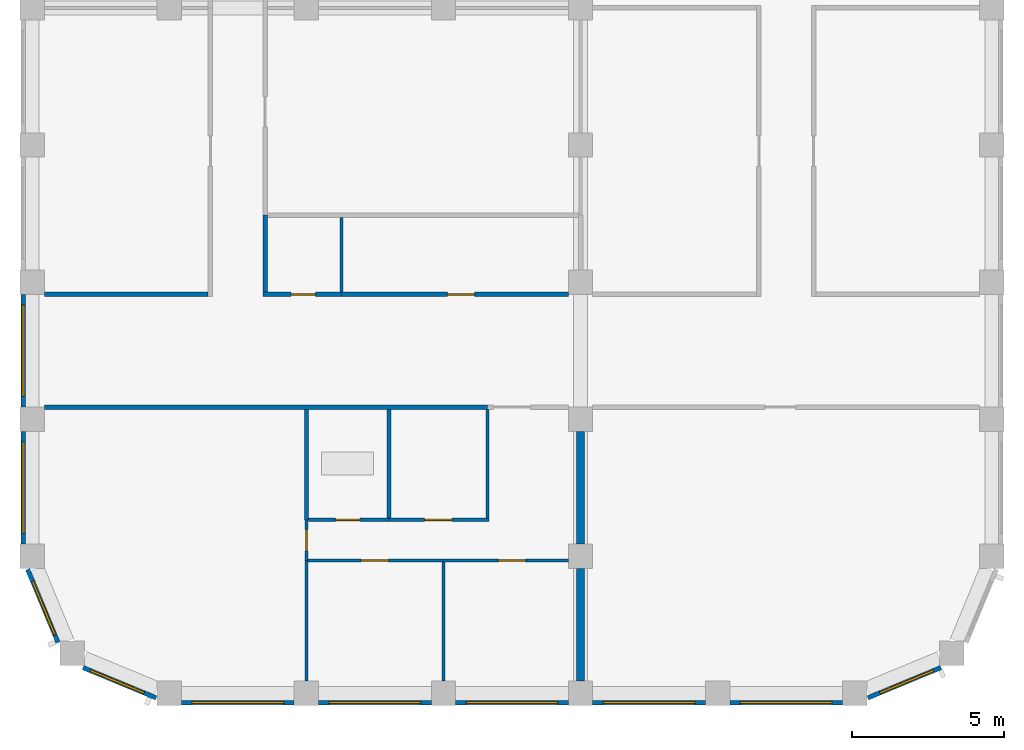
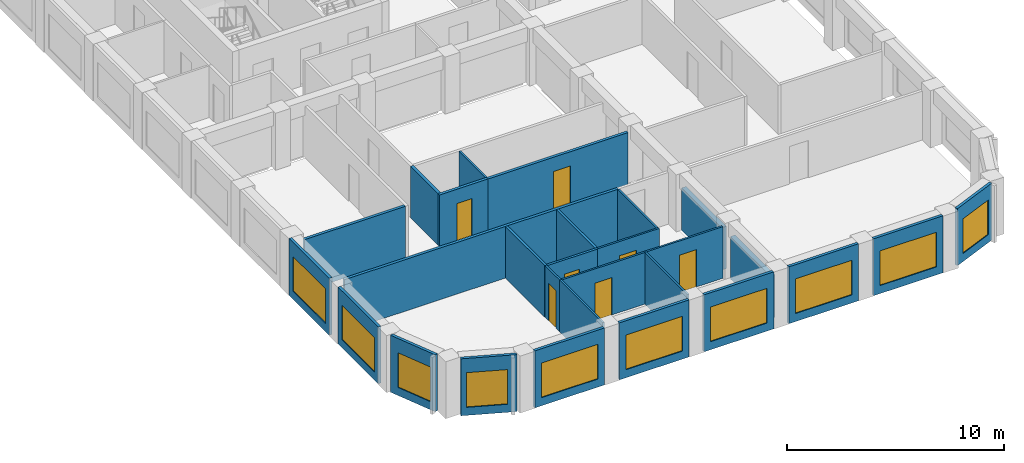
# One storey, part 2 of 9: 28 walls, 10 windows, 7 doors, 17 openings.
"""IFC4 building model written with IfcOpenShell, lengths in metres."""

from ifc_helpers import new_model, si_unit, direction, frame, frame_2d, origin, place, context, subcontext, project, spatial, rectangle, extrude, material, layer, layer_set, type_object, element, fill, save


model = new_model("IFC4")

# Units and contexts
model_context = context("Model", 3, precision=1e-05, world=origin(), true_north=direction((0.0, 1.0)))
body_context = subcontext(model_context, "Body", "Model", "MODEL_VIEW")
ifc_project = project(units=[si_unit("LENGTHUNIT", "METRE"), si_unit("AREAUNIT", "SQUARE_METRE"), si_unit("VOLUMEUNIT", "CUBIC_METRE"), si_unit("PLANEANGLEUNIT", "RADIAN"), si_unit("MASSUNIT", "GRAM", prefix="KILO")], contexts=[model_context])

# Site, building, storey
site_placement = place(None, origin())
site = spatial("IfcSite", under=ifc_project, at=site_placement, CompositionType="ELEMENT")
building_placement = place(site_placement, origin())
building = spatial("IfcBuilding", under=site, at=building_placement, Name="Girih Gate Residences", CompositionType="ELEMENT")
storey_placement = place(building_placement, frame((0.0, 0.0, 219.695068359375)))
storey = spatial("IfcBuildingStorey", under=building, at=storey_placement, Name="L61", CompositionType="ELEMENT", Elevation=219.695068359375)

# Walls
ifc_material_1 = material(Name="Gypsum board on steel studs", Category="steel")
ifc_layer_1 = layer(ifc_material_1, 0.25)
ifc_layer_set_1 = layer_set([ifc_layer_1], Name="Acoustic separating wall 250 mm")
wall_type_1 = type_object("IfcWallType", Name="Acoustic separating wall 250 mm", PredefinedType="PARTITIONING", material=ifc_layer_set_1)
for number, where, z_axis, x_axis, name in (
    (1, (18.0, 0.39990234375, 0.0), (0.0, 0.0, 1.0), (0.0, 1.0, 0.0), "L61 partition"),
    (2, (18.0, 4.89990234375, 0.0), (0.0, 0.0, 1.0), (0.0, 1.0, 0.0), "L61 partition"),
):
    element("IfcWall", number, at=place(storey_placement, frame(where, z_axis=z_axis, x_axis=x_axis)), inside=storey, type_object=wall_type_1, Name=name, PredefinedType="PARTITIONING", context=body_context, shape_type="SweptSolid", body=[
        extrude(rectangle(XDim=3.7001953125, YDim=0.25, at=frame_2d((1.85009765625, 0.0))), origin(), (0.0, 0.0, 1.0), 2.3798828125),
    ])
ifc_layer_2 = layer(ifc_material_1, 0.14990234375)
ifc_layer_set_2 = layer_set([ifc_layer_2], Name="Compartment wall 150 mm")
wall_type_2 = type_object("IfcWallType", Name="Compartment wall 150 mm", PredefinedType="PARTITIONING", material=ifc_layer_set_2)
wall_1_placement = place(storey_placement, frame((0.39990234375, 9.39990234375, 0.0), z_axis=(0.0, 0.0, 1.0), x_axis=(1.0, 0.0, 0.0)))
element("IfcWall", 3, at=wall_1_placement, inside=storey, type_object=wall_type_2, Name="L61 partition", PredefinedType="PARTITIONING", context=body_context, shape_type="SweptSolid", body=[
    extrude(rectangle(XDim=14.550048828125, YDim=0.14990234375, at=frame_2d((7.27490234375, 0.0))), origin(), (0.0, 0.0, 1.0), 2.89990234375),
])

# Wall, opening, door
wall_2_placement = place(storey_placement, frame((10.14990234375, 13.10009765625, 0.0), z_axis=(0.0, 0.0, 1.0), x_axis=(1.0, 0.0, 0.0)))
wall_2 = element("IfcWall", 4, at=wall_2_placement, inside=storey, type_object=wall_type_2, Name="L61 partition", PredefinedType="PARTITIONING", context=body_context, shape_type="SweptSolid", body=[
    extrude(rectangle(XDim=7.4501953125, YDim=0.14990234375, at=frame_2d((3.72509765625, 0.0))), origin(), (0.0, 0.0, 1.0), 2.89990234375),
])
opening_1_placement = place(wall_2_placement, frame((3.47509765625, 0.0, 0.0)))
opening_1 = element("IfcOpeningElement", 5, at=opening_1_placement, cuts=wall_2, Name="Opening A61-023", PredefinedType="OPENING", context=body_context, shape_type="SweptSolid", body=[
    extrude(rectangle(XDim=0.89990234375, YDim=2.10009765625, at=frame_2d((0.449951171875, 1.050048828125))), frame((0.0, 0.0849609375, 0.0), z_axis=(0.0, -1.0, 0.0), x_axis=(1.0, 0.0, 0.0)), (0.0, 0.0, 1.0), 0.169921875),
])
ifc_material_2 = material(Name="Timber", Category="wood")
door_type_1 = type_object("IfcDoorType", Name="Service room door 900x2100", OperationType="NOTDEFINED", PredefinedType="DOOR", material=ifc_material_2)
door_1_placement = place(opening_1_placement, origin())
door_1 = element("IfcDoor", 6, at=door_1_placement, inside=storey, type_object=door_type_1, Name="Door A61-023", OperationType="SINGLE_SWING_RIGHT", OverallHeight=2.10009765625, OverallWidth=0.89990234375, PredefinedType="DOOR", context=body_context, shape_type="SweptSolid", body=[
    extrude(rectangle(XDim=0.89990234375, YDim=2.10009765625, at=frame_2d((0.449951171875, 1.050048828125))), frame((0.0, 0.02490234375, 0.0), z_axis=(0.0, -1.0, 0.0), x_axis=(1.0, 0.0, 0.0)), (0.0, 0.0, 1.0), 0.050048828125),
])
fill(opening_1, door_1)

wall_3_placement = place(storey_placement, frame((7.574951171875, 13.10009765625, 0.0), z_axis=(0.0, 0.0, 1.0), x_axis=(1.0, 0.0, 0.0)))
wall_3 = element("IfcWall", 7, at=wall_3_placement, inside=storey, type_object=wall_type_2, Name="L61 partition", PredefinedType="PARTITIONING", context=body_context, shape_type="SweptSolid", body=[
    extrude(rectangle(XDim=2.574951171875, YDim=0.14990234375, at=frame_2d((1.28759765625, 0.0))), origin(), (0.0, 0.0, 1.0), 2.89990234375),
])
opening_2_placement = place(wall_3_placement, frame((0.925048828125, 0.0, 0.0)))
opening_2 = element("IfcOpeningElement", 8, at=opening_2_placement, cuts=wall_3, Name="Opening A61-024", PredefinedType="OPENING", context=body_context, shape_type="SweptSolid", body=[
    extrude(rectangle(XDim=0.800048828125, YDim=2.10009765625, at=frame_2d((0.39990234375, 1.050048828125))), frame((0.0, 0.0849609375, 0.0), z_axis=(0.0, -1.0, 0.0), x_axis=(1.0, 0.0, 0.0)), (0.0, 0.0, 1.0), 0.169921875),
])
door_type_2 = type_object("IfcDoorType", Name="Bathroom door 800x2100", OperationType="NOTDEFINED", PredefinedType="DOOR", material=ifc_material_2)
door_2_placement = place(opening_2_placement, origin())
door_2 = element("IfcDoor", 9, at=door_2_placement, inside=storey, type_object=door_type_2, Name="Door A61-024", OperationType="SINGLE_SWING_RIGHT", OverallHeight=2.10009765625, OverallWidth=0.800048828125, PredefinedType="DOOR", context=body_context, shape_type="SweptSolid", body=[
    extrude(rectangle(XDim=0.800048828125, YDim=2.10009765625, at=frame_2d((0.39990234375, 1.050048828125))), frame((0.0, 0.02490234375, 0.0), z_axis=(0.0, -1.0, 0.0), x_axis=(1.0, 0.0, 0.0)), (0.0, 0.0, 1.0), 0.050048828125),
])
fill(opening_2, door_2)

# Walls
wall_4_placement = place(storey_placement, frame((0.39990234375, 13.10009765625, 0.0), z_axis=(0.0, 0.0, 1.0), x_axis=(1.0, 0.0, 0.0)))
element("IfcWall", 10, at=wall_4_placement, inside=storey, type_object=wall_type_2, Name="L61 partition", PredefinedType="PARTITIONING", context=body_context, shape_type="SweptSolid", body=[
    extrude(rectangle(XDim=5.375, YDim=0.14990234375, at=frame_2d((2.6875, 0.0))), origin(), (0.0, 0.0, 1.0), 2.89990234375),
])
wall_5_placement = place(storey_placement, frame((7.64990234375, 13.175048828125, 0.0), z_axis=(0.0, 0.0, 1.0), x_axis=(0.0, 1.0, 0.0)))
element("IfcWall", 11, at=wall_5_placement, inside=storey, type_object=wall_type_2, Name="L61 partition", PredefinedType="PARTITIONING", context=body_context, shape_type="SweptSolid", body=[
    extrude(rectangle(XDim=2.52490234375, YDim=0.14990234375, at=frame_2d((1.262451171875, 0.0))), origin(), (0.0, 0.0, 1.0), 2.89990234375),
])
ifc_layer_3 = layer(ifc_material_1, 0.10009765625)
ifc_layer_set_3 = layer_set([ifc_layer_3], Name="Partition 100 mm")
wall_type_3 = type_object("IfcWallType", Name="Partition 100 mm", PredefinedType="PARTITIONING", material=ifc_layer_set_3)
wall_6_placement = place(storey_placement, frame((13.5, 0.39990234375, 0.0), z_axis=(0.0, 0.0, 1.0), x_axis=(0.0, 1.0, 0.0)))
element("IfcWall", 12, at=wall_6_placement, inside=storey, type_object=wall_type_3, Name="L61 partition", PredefinedType="PARTITIONING", context=body_context, shape_type="SweptSolid", body=[
    extrude(rectangle(XDim=3.91015625, YDim=0.10009765625, at=frame_2d((1.955078125, 0.0))), origin(), (0.0, 0.0, 1.0), 2.89990234375),
])

# Wall, opening, door
wall_7_placement = place(storey_placement, frame((13.5, 4.360107421875, 0.0), z_axis=(0.0, 0.0, 1.0), x_axis=(-1.0, 0.0, 0.0)))
wall_7 = element("IfcWall", 13, at=wall_7_placement, inside=storey, type_object=wall_type_3, Name="L61 partition", PredefinedType="PARTITIONING", context=body_context, shape_type="SweptSolid", body=[
    extrude(rectangle(XDim=4.449951171875, YDim=0.10009765625, at=frame_2d((2.22509765625, 0.0))), origin(), (0.0, 0.0, 1.0), 2.89990234375),
])
opening_3_placement = place(wall_7_placement, frame((1.800048828125, 0.0, 0.0)))
opening_3 = element("IfcOpeningElement", 14, at=opening_3_placement, cuts=wall_7, Name="Opening A61-002", PredefinedType="OPENING", context=body_context, shape_type="SweptSolid", body=[
    extrude(rectangle(XDim=0.89990234375, YDim=2.10009765625, at=frame_2d((0.449951171875, 1.050048828125))), frame((0.0, 0.06005859375, 0.0), z_axis=(0.0, -1.0, 0.0), x_axis=(1.0, 0.0, 0.0)), (0.0, 0.0, 1.0), 0.1201171875),
])
door_type_3 = type_object("IfcDoorType", Name="Bedroom door 900x2100", OperationType="NOTDEFINED", PredefinedType="DOOR", material=ifc_material_2)
door_3_placement = place(opening_3_placement, origin())
door_3 = element("IfcDoor", 15, at=door_3_placement, inside=storey, type_object=door_type_3, Name="Door A61-002", OperationType="SINGLE_SWING_RIGHT", OverallHeight=2.10009765625, OverallWidth=0.89990234375, PredefinedType="DOOR", context=body_context, shape_type="SweptSolid", body=[
    extrude(rectangle(XDim=0.89990234375, YDim=2.10009765625, at=frame_2d((0.449951171875, 1.050048828125))), frame((0.0, 0.02490234375, 0.0), z_axis=(0.0, -1.0, 0.0), x_axis=(1.0, 0.0, 0.0)), (0.0, 0.0, 1.0), 0.050048828125),
])
fill(opening_3, door_3)

# Wall
wall_8_placement = place(storey_placement, frame((9.0, 0.39990234375, 0.0), z_axis=(0.0, 0.0, 1.0), x_axis=(0.0, 1.0, 0.0)))
element("IfcWall", 16, at=wall_8_placement, inside=storey, type_object=wall_type_3, Name="L61 partition", PredefinedType="PARTITIONING", context=body_context, shape_type="SweptSolid", body=[
    extrude(rectangle(XDim=3.960205078125, YDim=0.10009765625, at=frame_2d((1.97998046875, 0.0))), origin(), (0.0, 0.0, 1.0), 2.89990234375),
])

# Wall, opening, door
wall_9_placement = place(storey_placement, frame((17.60009765625, 4.360107421875, 0.0), z_axis=(0.0, 0.0, 1.0), x_axis=(-1.0, 0.0, 0.0)))
wall_9 = element("IfcWall", 17, at=wall_9_placement, inside=storey, type_object=wall_type_3, Name="L61 partition", PredefinedType="PARTITIONING", context=body_context, shape_type="SweptSolid", body=[
    extrude(rectangle(XDim=4.10009765625, YDim=0.10009765625, at=frame_2d((2.050048828125, 0.0))), origin(), (0.0, 0.0, 1.0), 2.89990234375),
])
opening_4_placement = place(wall_9_placement, frame((1.39990234375, 0.0, 0.0)))
opening_4 = element("IfcOpeningElement", 18, at=opening_4_placement, cuts=wall_9, Name="Opening A61-003", PredefinedType="OPENING", context=body_context, shape_type="SweptSolid", body=[
    extrude(rectangle(XDim=0.89990234375, YDim=2.10009765625, at=frame_2d((0.449951171875, 1.050048828125))), frame((0.0, 0.06005859375, 0.0), z_axis=(0.0, -1.0, 0.0), x_axis=(1.0, 0.0, 0.0)), (0.0, 0.0, 1.0), 0.1201171875),
])
door_4_placement = place(opening_4_placement, origin())
door_4 = element("IfcDoor", 19, at=door_4_placement, inside=storey, type_object=door_type_3, Name="Door A61-003", OperationType="SINGLE_SWING_LEFT", OverallHeight=2.10009765625, OverallWidth=0.89990234375, PredefinedType="DOOR", context=body_context, shape_type="SweptSolid", body=[
    extrude(rectangle(XDim=0.89990234375, YDim=2.10009765625, at=frame_2d((0.449951171875, 1.050048828125))), frame((0.0, 0.02490234375, 0.0), z_axis=(0.0, -1.0, 0.0), x_axis=(1.0, 0.0, 0.0)), (0.0, 0.0, 1.0), 0.050048828125),
])
fill(opening_4, door_4)

wall_10_placement = place(storey_placement, frame((11.70849609375, 5.699951171875, 0.0), z_axis=(0.0, 0.0, 1.0), x_axis=(1.0, 0.0, 0.0)))
wall_10 = element("IfcWall", 20, at=wall_10_placement, inside=storey, type_object=wall_type_3, Name="L61 partition", PredefinedType="PARTITIONING", context=body_context, shape_type="SweptSolid", body=[
    extrude(rectangle(XDim=3.29150390625, YDim=0.10009765625, at=frame_2d((1.645751953125, 0.0))), origin(), (0.0, 0.0, 1.0), 2.89990234375),
])
opening_5_placement = place(wall_10_placement, frame((1.170654296875, 0.0, 0.0)))
opening_5 = element("IfcOpeningElement", 21, at=opening_5_placement, cuts=wall_10, Name="Opening A61-004", PredefinedType="OPENING", context=body_context, shape_type="SweptSolid", body=[
    extrude(rectangle(XDim=0.89990234375, YDim=2.10009765625, at=frame_2d((0.449951171875, 1.050048828125))), frame((0.0, 0.06005859375, 0.0), z_axis=(0.0, -1.0, 0.0), x_axis=(1.0, 0.0, 0.0)), (0.0, 0.0, 1.0), 0.1201171875),
])
door_type_4 = type_object("IfcDoorType", Name="Kitchen door 900x2100", OperationType="NOTDEFINED", PredefinedType="DOOR", material=ifc_material_2)
door_5_placement = place(opening_5_placement, origin())
door_5 = element("IfcDoor", 22, at=door_5_placement, inside=storey, type_object=door_type_4, Name="Door A61-004", OperationType="SINGLE_SWING_LEFT", OverallHeight=2.10009765625, OverallWidth=0.89990234375, PredefinedType="DOOR", context=body_context, shape_type="SweptSolid", body=[
    extrude(rectangle(XDim=0.89990234375, YDim=2.10009765625, at=frame_2d((0.449951171875, 1.050048828125))), frame((0.0, 0.02490234375, 0.0), z_axis=(0.0, -1.0, 0.0), x_axis=(1.0, 0.0, 0.0)), (0.0, 0.0, 1.0), 0.050048828125),
])
fill(opening_5, door_5)

# Wall
wall_11_placement = place(storey_placement, frame((14.949951171875, 5.75, 0.0), z_axis=(0.0, 0.0, 1.0), x_axis=(0.0, 1.0, 0.0)))
element("IfcWall", 23, at=wall_11_placement, inside=storey, type_object=wall_type_3, Name="L61 partition", PredefinedType="PARTITIONING", context=body_context, shape_type="SweptSolid", body=[
    extrude(rectangle(XDim=3.574951171875, YDim=0.10009765625, at=frame_2d((1.78759765625, 0.0))), origin(), (0.0, 0.0, 1.0), 2.89990234375),
])

# Wall, opening, door
wall_12_placement = place(storey_placement, frame((9.0, 4.360107421875, 0.0), z_axis=(0.0, 0.0, 1.0), x_axis=(0.0, 1.0, 0.0)))
wall_12 = element("IfcWall", 24, at=wall_12_placement, inside=storey, type_object=wall_type_3, Name="L61 partition", PredefinedType="PARTITIONING", context=body_context, shape_type="SweptSolid", body=[
    extrude(rectangle(XDim=1.33984375, YDim=0.10009765625, at=frame_2d((0.669921875, 0.0))), origin(), (0.0, 0.0, 1.0), 2.89990234375),
])
opening_6_placement = place(wall_12_placement, frame((0.320068359375, 0.0, 0.0)))
opening_6 = element("IfcOpeningElement", 25, at=opening_6_placement, cuts=wall_12, Name="Opening A61-005", PredefinedType="OPENING", context=body_context, shape_type="SweptSolid", body=[
    extrude(rectangle(XDim=0.699951171875, YDim=2.10009765625, at=frame_2d((0.35009765625, 1.050048828125))), frame((0.0, 0.06005859375, 0.0), z_axis=(0.0, -1.0, 0.0), x_axis=(1.0, 0.0, 0.0)), (0.0, 0.0, 1.0), 0.1201171875),
])
door_type_5 = type_object("IfcDoorType", Name="Narrow door 700x2100", OperationType="NOTDEFINED", PredefinedType="DOOR", material=ifc_material_2)
door_6_placement = place(opening_6_placement, origin())
door_6 = element("IfcDoor", 26, at=door_6_placement, inside=storey, type_object=door_type_5, Name="Door A61-005", OperationType="SINGLE_SWING_LEFT", OverallHeight=2.10009765625, OverallWidth=0.699951171875, PredefinedType="DOOR", context=body_context, shape_type="SweptSolid", body=[
    extrude(rectangle(XDim=0.699951171875, YDim=2.10009765625, at=frame_2d((0.35009765625, 1.050048828125))), frame((0.0, 0.02490234375, 0.0), z_axis=(0.0, -1.0, 0.0), x_axis=(1.0, 0.0, 0.0)), (0.0, 0.0, 1.0), 0.050048828125),
])
fill(opening_6, door_6)

# Wall
wall_13_placement = place(storey_placement, frame((10.14990234375, 13.175048828125, 0.0), z_axis=(0.0, 0.0, 1.0), x_axis=(0.0, 1.0, 0.0)))
element("IfcWall", 27, at=wall_13_placement, inside=storey, type_object=wall_type_3, Name="L61 partition", PredefinedType="PARTITIONING", context=body_context, shape_type="SweptSolid", body=[
    extrude(rectangle(XDim=2.449951171875, YDim=0.10009765625, at=frame_2d((1.22509765625, 0.0))), origin(), (0.0, 0.0, 1.0), 2.89990234375),
])

# Wall, opening, window
ifc_material_3 = material(Name="Precast concrete C50/60", Category="concrete")
ifc_layer_4 = layer(ifc_material_3, 0.050048828125, Name="Outer leaf")
ifc_material_4 = material(Name="Rigid PIR insulation")
ifc_layer_5 = layer(ifc_material_4, 0.06005859375, Name="Insulation")
ifc_material_5 = material(Name="Precast concrete C40/50", Category="concrete")
ifc_layer_6 = layer(ifc_material_5, 0.0400390625, Name="Inner leaf")
ifc_layer_set_4 = layer_set([ifc_layer_4, ifc_layer_5, ifc_layer_6], Name="Precast concrete C50/60 external wall 150")
wall_type_4 = type_object("IfcWallType", Name="Precast concrete C50/60 external wall 150", PredefinedType="SOLIDWALL", material=ifc_layer_set_4)
wall_14_placement = place(storey_placement, frame((29.8330078125, 0.8486328125, 0.0), z_axis=(0.0, 0.0, 1.0), x_axis=(-0.923885342263, -0.382669406082, 0.0)))
wall_14 = element("IfcWall", 28, at=wall_14_placement, inside=storey, type_object=wall_type_4, Name="External wall SE0270_0000.0", PredefinedType="SOLIDWALL", context=body_context, shape_type="SweptSolid", body=[
    extrude(rectangle(XDim=2.602294921875, YDim=0.14990234375, at=frame_2d((1.30126953125, 0.0))), origin(), (0.0, 0.0, 1.0), 3.199951171875),
])
opening_7_placement = place(wall_14_placement, frame((0.27001953125, 0.0, 0.449951171875)))
opening_7 = element("IfcOpeningElement", 29, at=opening_7_placement, cuts=wall_14, Name="Opening W-2G", PredefinedType="OPENING", context=body_context, shape_type="SweptSolid", body=[
    extrude(rectangle(XDim=1.89990234375, YDim=1.949951171875, at=frame_2d((0.949951171875, 0.97509765625))), frame((0.0, 0.0849609375, 0.0), z_axis=(0.0, -1.0, 0.0), x_axis=(1.0, 0.0, 0.0)), (0.0, 0.0, 1.0), 0.169921875),
])
ifc_material_6 = material(Name="Double glazing in aluminium frame", Category="aluminium")
window_type_1 = type_object("IfcWindowType", Name="Window W-2G 1900x1950", PartitioningType="SINGLE_PANEL", PredefinedType="WINDOW", material=ifc_material_6)
window_1_placement = place(opening_7_placement, origin())
window_1 = element("IfcWindow", 30, at=window_1_placement, inside=storey, type_object=window_type_1, Name="Window W-2G SE0270_0000.0", OverallHeight=1.949951171875, OverallWidth=1.89990234375, PartitioningType="SINGLE_PANEL", PredefinedType="WINDOW", context=body_context, shape_type="SweptSolid", body=[
    extrude(rectangle(XDim=1.89990234375, YDim=1.949951171875, at=frame_2d((0.949951171875, 0.97509765625))), frame((0.0, 0.030029296875, 0.0), z_axis=(0.0, -1.0, 0.0), x_axis=(1.0, 0.0, 0.0)), (0.0, 0.0, 1.0), 0.06005859375),
])
fill(opening_7, window_1)

wall_15_placement = place(storey_placement, frame((-0.300048828125, 9.39990234375, 0.0), z_axis=(0.0, 0.0, 1.0), x_axis=(0.0, 1.0, 0.0)))
wall_15 = element("IfcWall", 31, at=wall_15_placement, inside=storey, type_object=wall_type_4, Name="External wall W0000_0450.7", PredefinedType="SOLIDWALL", context=body_context, shape_type="SweptSolid", body=[
    extrude(rectangle(XDim=3.7001953125, YDim=0.14990234375, at=frame_2d((1.85009765625, 0.0))), origin(), (0.0, 0.0, 1.0), 3.199951171875),
])
opening_8_placement = place(wall_15_placement, frame((0.35009765625, 0.0, 0.449951171875)))
opening_8 = element("IfcOpeningElement", 32, at=opening_8_placement, cuts=wall_15, Name="Opening W-1D", PredefinedType="OPENING", context=body_context, shape_type="SweptSolid", body=[
    extrude(rectangle(XDim=3.0, YDim=1.949951171875, at=frame_2d((1.5, 0.97509765625))), frame((0.0, 0.0849609375, 0.0), z_axis=(0.0, -1.0, 0.0), x_axis=(1.0, 0.0, 0.0)), (0.0, 0.0, 1.0), 0.169921875),
])
window_type_2 = type_object("IfcWindowType", Name="Window W-1D 3000x1950", PartitioningType="SINGLE_PANEL", PredefinedType="WINDOW", material=ifc_material_6)
window_2_placement = place(opening_8_placement, origin())
window_2 = element("IfcWindow", 33, at=window_2_placement, inside=storey, type_object=window_type_2, Name="Window W-1D W0000_0450.7", OverallHeight=1.949951171875, OverallWidth=3.0, PartitioningType="SINGLE_PANEL", PredefinedType="WINDOW", context=body_context, shape_type="SweptSolid", body=[
    extrude(rectangle(XDim=3.0, YDim=1.949951171875, at=frame_2d((1.5, 0.97509765625))), frame((0.0, 0.030029296875, 0.0), z_axis=(0.0, -1.0, 0.0), x_axis=(1.0, 0.0, 0.0)), (0.0, 0.0, 1.0), 0.06005859375),
])
fill(opening_8, window_2)

wall_16_placement = place(storey_placement, frame((-0.300048828125, 4.89990234375, 0.0), z_axis=(0.0, 0.0, 1.0), x_axis=(0.0, 1.0, 0.0)))
wall_16 = element("IfcWall", 34, at=wall_16_placement, inside=storey, type_object=wall_type_4, Name="External wall W0000_0450.8", PredefinedType="SOLIDWALL", context=body_context, shape_type="SweptSolid", body=[
    extrude(rectangle(XDim=3.7001953125, YDim=0.14990234375, at=frame_2d((1.85009765625, 0.0))), origin(), (0.0, 0.0, 1.0), 3.199951171875),
])
opening_9_placement = place(wall_16_placement, frame((0.35009765625, 0.0, 0.449951171875)))
opening_9 = element("IfcOpeningElement", 35, at=opening_9_placement, cuts=wall_16, Name="Opening W-1D", PredefinedType="OPENING", context=body_context, shape_type="SweptSolid", body=[
    extrude(rectangle(XDim=3.0, YDim=1.949951171875, at=frame_2d((1.5, 0.97509765625))), frame((0.0, 0.0849609375, 0.0), z_axis=(0.0, -1.0, 0.0), x_axis=(1.0, 0.0, 0.0)), (0.0, 0.0, 1.0), 0.169921875),
])
window_3_placement = place(opening_9_placement, origin())
window_3 = element("IfcWindow", 36, at=window_3_placement, inside=storey, type_object=window_type_2, Name="Window W-1D W0000_0450.8", OverallHeight=1.949951171875, OverallWidth=3.0, PartitioningType="SINGLE_PANEL", PredefinedType="WINDOW", context=body_context, shape_type="SweptSolid", body=[
    extrude(rectangle(XDim=3.0, YDim=1.949951171875, at=frame_2d((1.5, 0.97509765625))), frame((0.0, 0.030029296875, 0.0), z_axis=(0.0, -1.0, 0.0), x_axis=(1.0, 0.0, 0.0)), (0.0, 0.0, 1.0), 0.06005859375),
])
fill(opening_9, window_3)

wall_17_placement = place(storey_placement, frame((0.8486328125, 1.6669921875, 0.0), z_axis=(0.0, 0.0, 1.0), x_axis=(-0.382669406082, 0.923885342263, 0.0)))
wall_17 = element("IfcWall", 37, at=wall_17_placement, inside=storey, type_object=wall_type_4, Name="External wall SW0000_0045.0", PredefinedType="SOLIDWALL", context=body_context, shape_type="SweptSolid", body=[
    extrude(rectangle(XDim=2.602294921875, YDim=0.14990234375, at=frame_2d((1.30126953125, 0.0))), origin(), (0.0, 0.0, 1.0), 3.199951171875),
])
opening_10_placement = place(wall_17_placement, frame((0.27001953125, 0.0, 0.449951171875)))
opening_10 = element("IfcOpeningElement", 38, at=opening_10_placement, cuts=wall_17, Name="Opening W-2G", PredefinedType="OPENING", context=body_context, shape_type="SweptSolid", body=[
    extrude(rectangle(XDim=1.89990234375, YDim=1.949951171875, at=frame_2d((0.949951171875, 0.97509765625))), frame((0.0, 0.0849609375, 0.0), z_axis=(0.0, -1.0, 0.0), x_axis=(1.0, 0.0, 0.0)), (0.0, 0.0, 1.0), 0.169921875),
])
window_4_placement = place(opening_10_placement, origin())
window_4 = element("IfcWindow", 39, at=window_4_placement, inside=storey, type_object=window_type_1, Name="Window W-2G SW0000_0045.0", OverallHeight=1.949951171875, OverallWidth=1.89990234375, PartitioningType="SINGLE_PANEL", PredefinedType="WINDOW", context=body_context, shape_type="SweptSolid", body=[
    extrude(rectangle(XDim=1.89990234375, YDim=1.949951171875, at=frame_2d((0.949951171875, 0.97509765625))), frame((0.0, 0.030029296875, 0.0), z_axis=(0.0, -1.0, 0.0), x_axis=(1.0, 0.0, 0.0)), (0.0, 0.0, 1.0), 0.06005859375),
])
fill(opening_10, window_4)

wall_18_placement = place(storey_placement, frame((4.0712890625, -0.147216796875, 0.0), z_axis=(0.0, 0.0, 1.0), x_axis=(-0.923885342263, 0.382669406082, 0.0)))
wall_18 = element("IfcWall", 40, at=wall_18_placement, inside=storey, type_object=wall_type_4, Name="External wall SW0013_0013.0", PredefinedType="SOLIDWALL", context=body_context, shape_type="SweptSolid", body=[
    extrude(rectangle(XDim=2.602294921875, YDim=0.14990234375, at=frame_2d((1.30126953125, 0.0))), origin(), (0.0, 0.0, 1.0), 3.199951171875),
])
opening_11_placement = place(wall_18_placement, frame((0.432373046875, 0.0, 0.449951171875)))
opening_11 = element("IfcOpeningElement", 41, at=opening_11_placement, cuts=wall_18, Name="Opening W-2G", PredefinedType="OPENING", context=body_context, shape_type="SweptSolid", body=[
    extrude(rectangle(XDim=1.89990234375, YDim=1.949951171875, at=frame_2d((0.949951171875, 0.97509765625))), frame((0.0, 0.0849609375, 0.0), z_axis=(0.0, -1.0, 0.0), x_axis=(1.0, 0.0, 0.0)), (0.0, 0.0, 1.0), 0.169921875),
])
window_5_placement = place(opening_11_placement, origin())
window_5 = element("IfcWindow", 42, at=window_5_placement, inside=storey, type_object=window_type_1, Name="Window W-2G SW0013_0013.0", OverallHeight=1.949951171875, OverallWidth=1.89990234375, PartitioningType="SINGLE_PANEL", PredefinedType="WINDOW", context=body_context, shape_type="SweptSolid", body=[
    extrude(rectangle(XDim=1.89990234375, YDim=1.949951171875, at=frame_2d((0.949951171875, 0.97509765625))), frame((0.0, 0.030029296875, 0.0), z_axis=(0.0, -1.0, 0.0), x_axis=(1.0, 0.0, 0.0)), (0.0, 0.0, 1.0), 0.06005859375),
])
fill(opening_11, window_5)

wall_19_placement = place(storey_placement, frame((8.60009765625, -0.300048828125, 0.0), z_axis=(0.0, 0.0, 1.0), x_axis=(-1.0, 0.0, 0.0)))
wall_19 = element("IfcWall", 43, at=wall_19_placement, inside=storey, type_object=wall_type_4, Name="External wall S0045_0000.0", PredefinedType="SOLIDWALL", context=body_context, shape_type="SweptSolid", body=[
    extrude(rectangle(XDim=3.7001953125, YDim=0.14990234375, at=frame_2d((1.85009765625, 0.0))), origin(), (0.0, 0.0, 1.0), 3.199951171875),
])
opening_12_placement = place(wall_19_placement, frame((0.35009765625, 0.0, 0.449951171875)))
opening_12 = element("IfcOpeningElement", 44, at=opening_12_placement, cuts=wall_19, Name="Opening W-1D", PredefinedType="OPENING", context=body_context, shape_type="SweptSolid", body=[
    extrude(rectangle(XDim=3.0, YDim=1.949951171875, at=frame_2d((1.5, 0.97509765625))), frame((0.0, 0.0849609375, 0.0), z_axis=(0.0, -1.0, 0.0), x_axis=(1.0, 0.0, 0.0)), (0.0, 0.0, 1.0), 0.169921875),
])
window_6_placement = place(opening_12_placement, origin())
window_6 = element("IfcWindow", 45, at=window_6_placement, inside=storey, type_object=window_type_2, Name="Window W-1D S0045_0000.0", OverallHeight=1.949951171875, OverallWidth=3.0, PartitioningType="SINGLE_PANEL", PredefinedType="WINDOW", context=body_context, shape_type="SweptSolid", body=[
    extrude(rectangle(XDim=3.0, YDim=1.949951171875, at=frame_2d((1.5, 0.97509765625))), frame((0.0, 0.030029296875, 0.0), z_axis=(0.0, -1.0, 0.0), x_axis=(1.0, 0.0, 0.0)), (0.0, 0.0, 1.0), 0.06005859375),
])
fill(opening_12, window_6)

wall_20_placement = place(storey_placement, frame((13.10009765625, -0.300048828125, 0.0), z_axis=(0.0, 0.0, 1.0), x_axis=(-1.0, 0.0, 0.0)))
wall_20 = element("IfcWall", 46, at=wall_20_placement, inside=storey, type_object=wall_type_4, Name="External wall S0045_0000.1", PredefinedType="SOLIDWALL", context=body_context, shape_type="SweptSolid", body=[
    extrude(rectangle(XDim=3.7001953125, YDim=0.14990234375, at=frame_2d((1.85009765625, 0.0))), origin(), (0.0, 0.0, 1.0), 3.199951171875),
])
opening_13_placement = place(wall_20_placement, frame((0.35009765625, 0.0, 0.449951171875)))
opening_13 = element("IfcOpeningElement", 47, at=opening_13_placement, cuts=wall_20, Name="Opening W-1D", PredefinedType="OPENING", context=body_context, shape_type="SweptSolid", body=[
    extrude(rectangle(XDim=3.0, YDim=1.949951171875, at=frame_2d((1.5, 0.97509765625))), frame((0.0, 0.0849609375, 0.0), z_axis=(0.0, -1.0, 0.0), x_axis=(1.0, 0.0, 0.0)), (0.0, 0.0, 1.0), 0.169921875),
])
window_7_placement = place(opening_13_placement, origin())
window_7 = element("IfcWindow", 48, at=window_7_placement, inside=storey, type_object=window_type_2, Name="Window W-1D S0045_0000.1", OverallHeight=1.949951171875, OverallWidth=3.0, PartitioningType="SINGLE_PANEL", PredefinedType="WINDOW", context=body_context, shape_type="SweptSolid", body=[
    extrude(rectangle(XDim=3.0, YDim=1.949951171875, at=frame_2d((1.5, 0.97509765625))), frame((0.0, 0.030029296875, 0.0), z_axis=(0.0, -1.0, 0.0), x_axis=(1.0, 0.0, 0.0)), (0.0, 0.0, 1.0), 0.06005859375),
])
fill(opening_13, window_7)

wall_21_placement = place(storey_placement, frame((17.60009765625, -0.300048828125, 0.0), z_axis=(0.0, 0.0, 1.0), x_axis=(-1.0, 0.0, 0.0)))
wall_21 = element("IfcWall", 49, at=wall_21_placement, inside=storey, type_object=wall_type_4, Name="External wall S0045_0000.2", PredefinedType="SOLIDWALL", context=body_context, shape_type="SweptSolid", body=[
    extrude(rectangle(XDim=3.7001953125, YDim=0.14990234375, at=frame_2d((1.85009765625, 0.0))), origin(), (0.0, 0.0, 1.0), 3.199951171875),
])
opening_14_placement = place(wall_21_placement, frame((0.35009765625, 0.0, 0.449951171875)))
opening_14 = element("IfcOpeningElement", 50, at=opening_14_placement, cuts=wall_21, Name="Opening W-1D", PredefinedType="OPENING", context=body_context, shape_type="SweptSolid", body=[
    extrude(rectangle(XDim=3.0, YDim=1.949951171875, at=frame_2d((1.5, 0.97509765625))), frame((0.0, 0.0849609375, 0.0), z_axis=(0.0, -1.0, 0.0), x_axis=(1.0, 0.0, 0.0)), (0.0, 0.0, 1.0), 0.169921875),
])
window_8_placement = place(opening_14_placement, origin())
window_8 = element("IfcWindow", 51, at=window_8_placement, inside=storey, type_object=window_type_2, Name="Window W-1D S0045_0000.2", OverallHeight=1.949951171875, OverallWidth=3.0, PartitioningType="SINGLE_PANEL", PredefinedType="WINDOW", context=body_context, shape_type="SweptSolid", body=[
    extrude(rectangle(XDim=3.0, YDim=1.949951171875, at=frame_2d((1.5, 0.97509765625))), frame((0.0, 0.030029296875, 0.0), z_axis=(0.0, -1.0, 0.0), x_axis=(1.0, 0.0, 0.0)), (0.0, 0.0, 1.0), 0.06005859375),
])
fill(opening_14, window_8)

wall_22_placement = place(storey_placement, frame((22.10009765625, -0.300048828125, 0.0), z_axis=(0.0, 0.0, 1.0), x_axis=(-1.0, 0.0, 0.0)))
wall_22 = element("IfcWall", 52, at=wall_22_placement, inside=storey, type_object=wall_type_4, Name="External wall S0045_0000.3", PredefinedType="SOLIDWALL", context=body_context, shape_type="SweptSolid", body=[
    extrude(rectangle(XDim=3.7001953125, YDim=0.14990234375, at=frame_2d((1.85009765625, 0.0))), origin(), (0.0, 0.0, 1.0), 3.199951171875),
])
opening_15_placement = place(wall_22_placement, frame((0.35009765625, 0.0, 0.449951171875)))
opening_15 = element("IfcOpeningElement", 53, at=opening_15_placement, cuts=wall_22, Name="Opening W-1D", PredefinedType="OPENING", context=body_context, shape_type="SweptSolid", body=[
    extrude(rectangle(XDim=3.0, YDim=1.949951171875, at=frame_2d((1.5, 0.97509765625))), frame((0.0, 0.0849609375, 0.0), z_axis=(0.0, -1.0, 0.0), x_axis=(1.0, 0.0, 0.0)), (0.0, 0.0, 1.0), 0.169921875),
])
window_9_placement = place(opening_15_placement, origin())
window_9 = element("IfcWindow", 54, at=window_9_placement, inside=storey, type_object=window_type_2, Name="Window W-1D S0045_0000.3", OverallHeight=1.949951171875, OverallWidth=3.0, PartitioningType="SINGLE_PANEL", PredefinedType="WINDOW", context=body_context, shape_type="SweptSolid", body=[
    extrude(rectangle(XDim=3.0, YDim=1.949951171875, at=frame_2d((1.5, 0.97509765625))), frame((0.0, 0.030029296875, 0.0), z_axis=(0.0, -1.0, 0.0), x_axis=(1.0, 0.0, 0.0)), (0.0, 0.0, 1.0), 0.06005859375),
])
fill(opening_15, window_9)

wall_23_placement = place(storey_placement, frame((26.60009765625, -0.300048828125, 0.0), z_axis=(0.0, 0.0, 1.0), x_axis=(-1.0, 0.0, 0.0)))
wall_23 = element("IfcWall", 55, at=wall_23_placement, inside=storey, type_object=wall_type_4, Name="External wall S0045_0000.4", PredefinedType="SOLIDWALL", context=body_context, shape_type="SweptSolid", body=[
    extrude(rectangle(XDim=3.7001953125, YDim=0.14990234375, at=frame_2d((1.85009765625, 0.0))), origin(), (0.0, 0.0, 1.0), 3.199951171875),
])
opening_16_placement = place(wall_23_placement, frame((0.35009765625, 0.0, 0.449951171875)))
opening_16 = element("IfcOpeningElement", 56, at=opening_16_placement, cuts=wall_23, Name="Opening W-1D", PredefinedType="OPENING", context=body_context, shape_type="SweptSolid", body=[
    extrude(rectangle(XDim=3.0, YDim=1.949951171875, at=frame_2d((1.5, 0.97509765625))), frame((0.0, 0.0849609375, 0.0), z_axis=(0.0, -1.0, 0.0), x_axis=(1.0, 0.0, 0.0)), (0.0, 0.0, 1.0), 0.169921875),
])
window_10_placement = place(opening_16_placement, origin())
window_10 = element("IfcWindow", 57, at=window_10_placement, inside=storey, type_object=window_type_2, Name="Window W-1D S0045_0000.4", OverallHeight=1.949951171875, OverallWidth=3.0, PartitioningType="SINGLE_PANEL", PredefinedType="WINDOW", context=body_context, shape_type="SweptSolid", body=[
    extrude(rectangle(XDim=3.0, YDim=1.949951171875, at=frame_2d((1.5, 0.97509765625))), frame((0.0, 0.030029296875, 0.0), z_axis=(0.0, -1.0, 0.0), x_axis=(1.0, 0.0, 0.0)), (0.0, 0.0, 1.0), 0.06005859375),
])
fill(opening_16, window_10)

# Wall, opening, door
ifc_layer_7 = layer(ifc_material_1, 0.125)
ifc_layer_set_5 = layer_set([ifc_layer_7], Name="Wet room wall 125 mm")
wall_type_5 = type_object("IfcWallType", Name="Wet room wall 125 mm", PredefinedType="PARTITIONING", material=ifc_layer_set_5)
wall_24_placement = place(storey_placement, frame((9.0625, 5.699951171875, 0.0), z_axis=(0.0, 0.0, 1.0), x_axis=(1.0, 0.0, 0.0)))
wall_24 = element("IfcWall", 58, at=wall_24_placement, inside=storey, type_object=wall_type_5, Name="L61 partition", PredefinedType="PARTITIONING", context=body_context, shape_type="SweptSolid", body=[
    extrude(rectangle(XDim=2.64599609375, YDim=0.125, at=frame_2d((1.322998046875, 0.0))), origin(), (0.0, 0.0, 1.0), 2.89990234375),
])
opening_17_placement = place(wall_24_placement, frame((0.891845703125, 0.0, 0.0)))
opening_17 = element("IfcOpeningElement", 59, at=opening_17_placement, cuts=wall_24, Name="Opening A61-001", PredefinedType="OPENING", context=body_context, shape_type="SweptSolid", body=[
    extrude(rectangle(XDim=0.800048828125, YDim=2.10009765625, at=frame_2d((0.39990234375, 1.050048828125))), frame((0.0, 0.072509765625, 0.0), z_axis=(0.0, -1.0, 0.0), x_axis=(1.0, 0.0, 0.0)), (0.0, 0.0, 1.0), 0.14501953125),
])
door_7_placement = place(opening_17_placement, origin())
door_7 = element("IfcDoor", 60, at=door_7_placement, inside=storey, type_object=door_type_2, Name="Door A61-001", OperationType="SINGLE_SWING_LEFT", OverallHeight=2.10009765625, OverallWidth=0.800048828125, PredefinedType="DOOR", context=body_context, shape_type="SweptSolid", body=[
    extrude(rectangle(XDim=0.800048828125, YDim=2.10009765625, at=frame_2d((0.39990234375, 1.050048828125))), frame((0.0, 0.02490234375, 0.0), z_axis=(0.0, -1.0, 0.0), x_axis=(1.0, 0.0, 0.0)), (0.0, 0.0, 1.0), 0.050048828125),
])
fill(opening_17, door_7)

# Walls
wall_25_placement = place(storey_placement, frame((11.708984375, 5.762451171875, 0.0), z_axis=(0.0, 0.0, 1.0), x_axis=(0.0, 1.0, 0.0)))
element("IfcWall", 61, at=wall_25_placement, inside=storey, type_object=wall_type_5, Name="L61 partition", PredefinedType="PARTITIONING", context=body_context, shape_type="SweptSolid", body=[
    extrude(rectangle(XDim=3.5625, YDim=0.125, at=frame_2d((1.78125, 0.0))), origin(), (0.0, 0.0, 1.0), 2.89990234375),
])
wall_26_placement = place(storey_placement, frame((9.0, 5.699951171875, 0.0), z_axis=(0.0, 0.0, 1.0), x_axis=(0.0, 1.0, 0.0)))
element("IfcWall", 62, at=wall_26_placement, inside=storey, type_object=wall_type_5, Name="L61 partition", PredefinedType="PARTITIONING", context=body_context, shape_type="SweptSolid", body=[
    extrude(rectangle(XDim=3.625, YDim=0.125, at=frame_2d((1.8125, 0.0))), origin(), (0.0, 0.0, 1.0), 2.89990234375),
])

save(model, "model.ifc")
